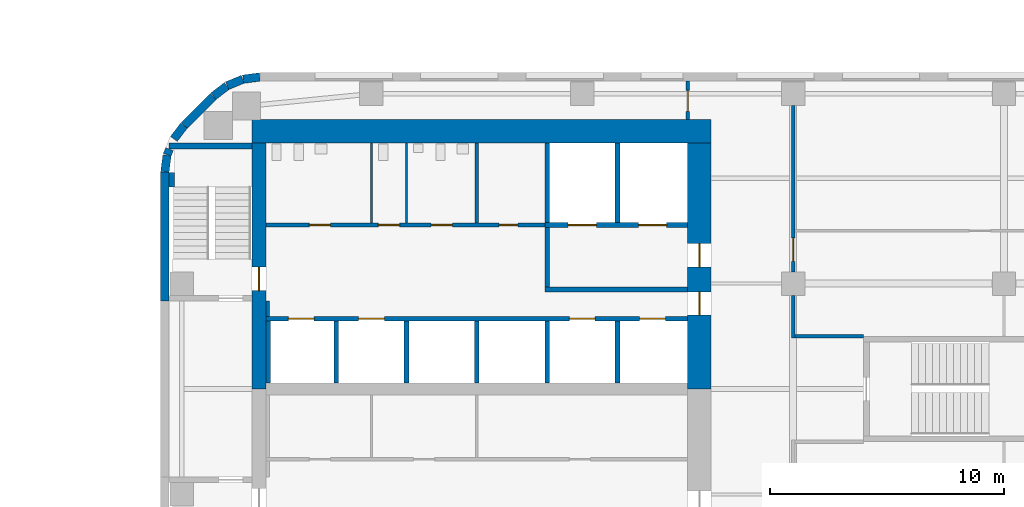
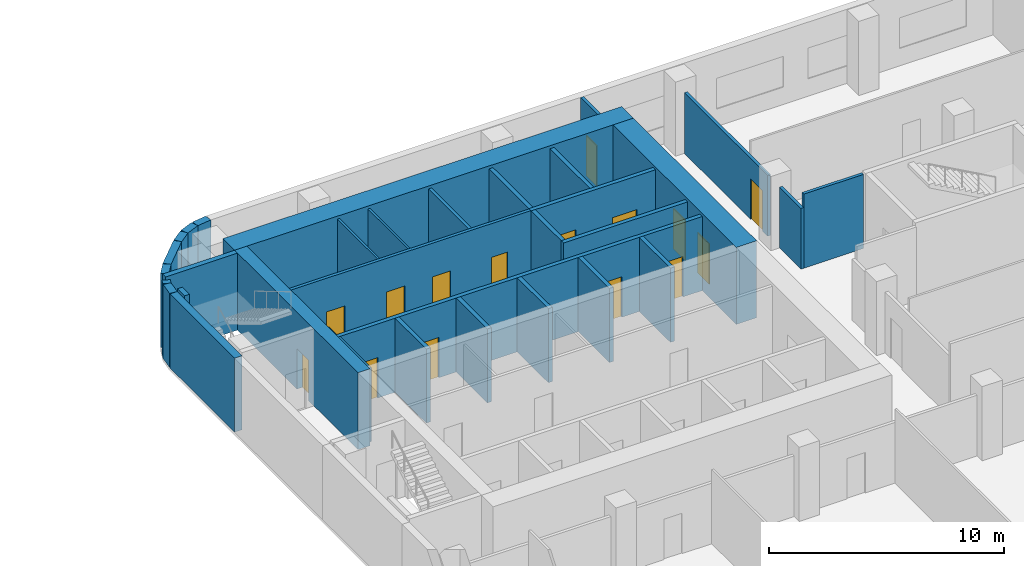
# One storey, part 10 of 15: 34 walls, 15 doors, 15 openings.
"""IFC4 building model written with IfcOpenShell, lengths in metres."""

from ifc_helpers import new_model, si_unit, direction, frame, frame_2d, origin, place, context, subcontext, project, spatial, rectangle, extrude, material, layer, layer_set, type_object, element, fill, save


model = new_model("IFC4")

# Units and contexts
model_context = context("Model", 3, precision=1e-05, world=origin(), true_north=direction((0.0, 1.0)))
body_context = subcontext(model_context, "Body", "Model", "MODEL_VIEW")
ifc_project = project(units=[si_unit("LENGTHUNIT", "METRE"), si_unit("AREAUNIT", "SQUARE_METRE"), si_unit("VOLUMEUNIT", "CUBIC_METRE"), si_unit("PLANEANGLEUNIT", "RADIAN"), si_unit("MASSUNIT", "GRAM", prefix="KILO")], contexts=[model_context])

# Site, building, storey
site_placement = place(None, origin())
site = spatial("IfcSite", under=ifc_project, at=site_placement, CompositionType="ELEMENT")
building_placement = place(site_placement, origin())
building = spatial("IfcBuilding", under=site, at=building_placement, Name="Cinnabar Reach Civic Tower", CompositionType="ELEMENT")
storey_placement = place(building_placement, frame((0.0, 0.0, 87.0)))
storey = spatial("IfcBuildingStorey", under=building, at=storey_placement, Name="L20", CompositionType="ELEMENT", Elevation=87.0)

# Walls
ifc_material_1 = material(Name="Facing brick with insulated backing", Category="masonry")
ifc_layer_1 = layer(ifc_material_1, 0.36)
ifc_layer_set_1 = layer_set([ifc_layer_1], Name="Brick corner wall")
wall_type_1 = type_object("IfcWallType", Name="Brick corner wall", PredefinedType="STANDARD", material=ifc_layer_set_1)
for number, where, z_axis, x_axis, name in (
    (1, (4.2314, 44.817, 0.0), (0.0, 0.0, 1.0), (-0.99144092581, -0.13055608231, 0.0), "Brick corner wall"),
    (2, (3.5027, 44.7181, 0.0), (0.0, 0.0, 1.0), (-0.923871547278, -0.382702709855, 0.0), "Brick corner wall"),
):
    element("IfcWall", number, at=place(storey_placement, frame(where, z_axis=z_axis, x_axis=x_axis)), inside=storey, type_object=wall_type_1, Name=name, PredefinedType="STANDARD", context=body_context, shape_type="SweptSolid", body=[
        extrude(rectangle(XDim=0.7131, YDim=0.36, at=frame_2d((0.3565, 0.0))), origin(), (0.0, 0.0, 1.0), 3.85),
    ])
for number, where, z_axis, x_axis, name in (
    (3, (2.8245, 44.434, 0.0), (0.0, 0.0, 1.0), (-0.793321924995, -0.608802368033, 0.0), "Brick corner wall"),
    (4, (1.0002, 42.7413, 0.0), (0.0, 0.0, 1.0), (-0.608802368033, -0.793321924995, 0.0), "Brick corner wall"),
):
    element("IfcWall", number, at=place(storey_placement, frame(where, z_axis=z_axis, x_axis=x_axis)), inside=storey, type_object=wall_type_1, Name=name, PredefinedType="STANDARD", context=body_context, shape_type="SweptSolid", body=[
        extrude(rectangle(XDim=0.7132, YDim=0.36, at=frame_2d((0.3566, 0.0))), origin(), (0.0, 0.0, 1.0), 3.85),
    ])
wall_1_placement = place(storey_placement, frame((0.3808, 41.736, 0.0), z_axis=(0.0, 0.0, 1.0), x_axis=(-0.382773360986, -0.923842277729, 0.0)))
element("IfcWall", 5, at=wall_1_placement, inside=storey, type_object=wall_type_1, Name="Brick corner wall", PredefinedType="STANDARD", context=body_context, shape_type="SweptSolid", body=[
    extrude(rectangle(XDim=0.2584, YDim=0.36, at=frame_2d((0.1292, 0.0))), origin(), (0.0, 0.0, 1.0), 3.85),
])
wall_2_placement = place(storey_placement, frame((0.2761, 41.4756, 0.0), z_axis=(0.0, 0.0, 1.0), x_axis=(-0.13055608231, -0.99144092581, 0.0)))
element("IfcWall", 6, at=wall_2_placement, inside=storey, type_object=wall_type_1, Name="Brick corner wall", PredefinedType="STANDARD", context=body_context, shape_type="SweptSolid", body=[
    extrude(rectangle(XDim=0.7131, YDim=0.36, at=frame_2d((0.3565, 0.0))), origin(), (0.0, 0.0, 1.0), 3.85),
])
ifc_layer_2 = layer(ifc_material_1, 0.36)
ifc_layer_set_2 = layer_set([ifc_layer_2], Name="Brick pier and spandrel wall")
wall_type_2 = type_object("IfcWallType", Name="Brick pier and spandrel wall", PredefinedType="STANDARD", material=ifc_layer_set_2)
wall_3_placement = place(storey_placement, frame((2.2486, 43.994, 0.0), z_axis=(0.0, 0.0, 1.0), x_axis=(-0.707106781187, -0.707106781187, 0.0)))
element("IfcWall", 7, at=wall_3_placement, inside=storey, type_object=wall_type_2, Name="Brick facade wall", PredefinedType="STANDARD", context=body_context, shape_type="SweptSolid", body=[
    extrude(rectangle(XDim=1.7573, YDim=0.36, at=frame_2d((0.8787, 0.0))), origin(), (0.0, 0.0, 1.0), 3.85),
])
wall_4_placement = place(storey_placement, frame((0.18, 40.7574, 0.0), z_axis=(0.0, 0.0, 1.0), x_axis=(0.0, -1.0, 0.0)))
element("IfcWall", 8, at=wall_4_placement, inside=storey, type_object=wall_type_2, Name="Brick facade wall", PredefinedType="STANDARD", context=body_context, shape_type="SweptSolid", body=[
    extrude(rectangle(XDim=5.5074, YDim=0.36, at=frame_2d((2.7537, 0.0))), origin(), (0.0, 0.0, 1.0), 3.85),
])
ifc_material_2 = material(Name="Concrete C70", Category="concrete")
ifc_layer_3 = layer(ifc_material_2, 1.0)
ifc_layer_set_3 = layer_set([ifc_layer_3], Name="Core wall 1000 EI 180")
wall_type_3 = type_object("IfcWallType", Name="Core wall 1000 EI 180", PredefinedType="SOLIDWALL", material=ifc_layer_set_3)
wall_5_placement = place(storey_placement, frame((23.5, 42.5, 0.0), z_axis=(0.0, 0.0, 1.0), x_axis=(-1.0, 0.0, 0.0)))
element("IfcWall", 9, at=wall_5_placement, inside=storey, type_object=wall_type_3, Name="Core wall T1 L20 N", PredefinedType="SOLIDWALL", context=body_context, shape_type="SweptSolid", body=[
    extrude(rectangle(XDim=19.6, YDim=1.0, at=frame_2d((9.8, 0.0))), origin(), (0.0, 0.0, 1.0), 4.0),
])

# Wall, openings, doors
wall_6_placement = place(storey_placement, frame((23.0, 31.5, 0.0), z_axis=(0.0, 0.0, 1.0), x_axis=(0.0, 1.0, 0.0)))
wall_6 = element("IfcWall", 10, at=wall_6_placement, inside=storey, type_object=wall_type_3, Name="Core wall T1 L20 E2", PredefinedType="SOLIDWALL", context=body_context, shape_type="SweptSolid", body=[
    extrude(rectangle(XDim=10.5, YDim=1.0, at=frame_2d((5.25, 0.0))), origin(), (0.0, 0.0, 1.0), 4.0),
])
opening_1_placement = place(wall_6_placement, frame((3.15, 0.0, 0.0)))
opening_1 = element("IfcOpeningElement", 11, at=opening_1_placement, cuts=wall_6, Name="Opening D3818", PredefinedType="OPENING", context=body_context, shape_type="SweptSolid", body=[
    extrude(rectangle(XDim=1.0, YDim=2.1, at=frame_2d((0.5, 1.05))), frame((0.0, 0.51, 0.0), z_axis=(0.0, -1.0, 0.0), x_axis=(1.0, 0.0, 0.0)), (0.0, 0.0, 1.0), 1.02),
])
opening_2_placement = place(wall_6_placement, frame((5.2, 0.0, 0.0)))
opening_2 = element("IfcOpeningElement", 12, at=opening_2_placement, cuts=wall_6, Name="Opening D3819", PredefinedType="OPENING", context=body_context, shape_type="SweptSolid", body=[
    extrude(rectangle(XDim=1.0, YDim=2.1, at=frame_2d((0.5, 1.05))), frame((0.0, 0.51, 0.0), z_axis=(0.0, -1.0, 0.0), x_axis=(1.0, 0.0, 0.0)), (0.0, 0.0, 1.0), 1.02),
])
ifc_material_3 = material(Name="Timber door leaf in steel frame", Category="steel")
door_type_1 = type_object("IfcDoorType", Name="Firefighting lobby door 1000 x 2100 T1", OperationType="SINGLE_SWING_LEFT", PredefinedType="DOOR", material=ifc_material_3)
door_1_placement = place(opening_2_placement, origin())
door_1 = element("IfcDoor", 13, at=door_1_placement, inside=storey, type_object=door_type_1, Name="Door D3819", OperationType="SINGLE_SWING_LEFT", OverallHeight=2.1, OverallWidth=1.0, PredefinedType="DOOR", context=body_context, shape_type="SweptSolid", body=[
    extrude(rectangle(XDim=1.0, YDim=2.1, at=frame_2d((0.5, 1.05))), frame((0.0, 0.025, 0.0), z_axis=(0.0, -1.0, 0.0), x_axis=(1.0, 0.0, 0.0)), (0.0, 0.0, 1.0), 0.05),
])
fill(opening_2, door_1)
door_type_2 = type_object("IfcDoorType", Name="Single swing door 1000 x 2100 T1", OperationType="SINGLE_SWING_LEFT", PredefinedType="DOOR", material=ifc_material_3)
door_2_placement = place(opening_1_placement, origin())
door_2 = element("IfcDoor", 14, at=door_2_placement, inside=storey, type_object=door_type_2, Name="Door D3818", OperationType="SINGLE_SWING_RIGHT", OverallHeight=2.1, OverallWidth=1.0, PredefinedType="DOOR", context=body_context, shape_type="SweptSolid", body=[
    extrude(rectangle(XDim=1.0, YDim=2.1, at=frame_2d((0.5, 1.05))), frame((0.0, 0.025, 0.0), z_axis=(0.0, -1.0, 0.0), x_axis=(1.0, 0.0, 0.0)), (0.0, 0.0, 1.0), 0.05),
])
fill(opening_1, door_2)

# Wall, opening, door
ifc_layer_4 = layer(ifc_material_2, 0.6)
ifc_layer_set_4 = layer_set([ifc_layer_4], Name="Core wall 600 EI 180")
wall_type_4 = type_object("IfcWallType", Name="Core wall 600 EI 180", PredefinedType="SOLIDWALL", material=ifc_layer_set_4)
wall_7_placement = place(storey_placement, frame((4.2, 42.0, 0.0), z_axis=(0.0, 0.0, 1.0), x_axis=(0.0, -1.0, 0.0)))
wall_7 = element("IfcWall", 15, at=wall_7_placement, inside=storey, type_object=wall_type_4, Name="Core wall T1 L20 W", PredefinedType="SOLIDWALL", context=body_context, shape_type="SweptSolid", body=[
    extrude(rectangle(XDim=10.5, YDim=0.6, at=frame_2d((5.25, 0.0))), origin(), (0.0, 0.0, 1.0), 4.0),
])
opening_3_placement = place(wall_7_placement, frame((5.3, 0.0, 0.0)))
opening_3 = element("IfcOpeningElement", 16, at=opening_3_placement, cuts=wall_7, Name="Opening D3803", PredefinedType="OPENING", context=body_context, shape_type="SweptSolid", body=[
    extrude(rectangle(XDim=1.0, YDim=2.1, at=frame_2d((0.5, 1.05))), frame((0.0, 0.31, 0.0), z_axis=(0.0, -1.0, 0.0), x_axis=(1.0, 0.0, 0.0)), (0.0, 0.0, 1.0), 0.62),
])
door_type_3 = type_object("IfcDoorType", Name="Stair door 1000 x 2100 T1", OperationType="SINGLE_SWING_LEFT", PredefinedType="DOOR", material=ifc_material_3)
door_3_placement = place(opening_3_placement, frame((1.0, 0.0, 0.0), z_axis=(0.0, 0.0, 1.0), x_axis=(-1.0, 0.0, 0.0)))
door_3 = element("IfcDoor", 17, at=door_3_placement, inside=storey, type_object=door_type_3, Name="Door D3803", OperationType="SINGLE_SWING_LEFT", OverallHeight=2.1, OverallWidth=1.0, PredefinedType="DOOR", context=body_context, shape_type="SweptSolid", body=[
    extrude(rectangle(XDim=1.0, YDim=2.1, at=frame_2d((0.5, 1.05))), frame((0.0, 0.025, 0.0), z_axis=(0.0, -1.0, 0.0), x_axis=(1.0, 0.0, 0.0)), (0.0, 0.0, 1.0), 0.05),
])
fill(opening_3, door_3)

# Wall, openings, doors
ifc_material_4 = material(Name="Gypsum board on steel studs, double layer", Category="steel")
ifc_layer_5 = layer(ifc_material_4, 0.15)
ifc_layer_set_5 = layer_set([ifc_layer_5], Name="Corridor wall 150 T1")
wall_type_5 = type_object("IfcWallType", Name="Corridor wall 150 T1", PredefinedType="PARTITIONING", material=ifc_layer_set_5)
wall_8_placement = place(storey_placement, frame((4.5, 38.5, 0.0), z_axis=(0.0, 0.0, 1.0), x_axis=(1.0, 0.0, 0.0)))
wall_8 = element("IfcWall", 18, at=wall_8_placement, inside=storey, type_object=wall_type_5, Name="Corridor wall 28", PredefinedType="PARTITIONING", context=body_context, shape_type="SweptSolid", body=[
    extrude(rectangle(XDim=11.9, YDim=0.15, at=frame_2d((5.95, 0.0))), origin(), (0.0, 0.0, 1.0), 3.85),
])
opening_4_placement = place(wall_8_placement, frame((1.85, 0.0, 0.0)))
opening_4 = element("IfcOpeningElement", 19, at=opening_4_placement, cuts=wall_8, Name="Opening D3824", PredefinedType="OPENING", context=body_context, shape_type="SweptSolid", body=[
    extrude(rectangle(XDim=0.9, YDim=2.1, at=frame_2d((0.45, 1.05))), frame((0.0, 0.085, 0.0), z_axis=(0.0, -1.0, 0.0), x_axis=(1.0, 0.0, 0.0)), (0.0, 0.0, 1.0), 0.17),
])
opening_5_placement = place(wall_8_placement, frame((4.8, 0.0, 0.0)))
opening_5 = element("IfcOpeningElement", 20, at=opening_5_placement, cuts=wall_8, Name="Opening D3825", PredefinedType="OPENING", context=body_context, shape_type="SweptSolid", body=[
    extrude(rectangle(XDim=0.9, YDim=2.1, at=frame_2d((0.45, 1.05))), frame((0.0, 0.085, 0.0), z_axis=(0.0, -1.0, 0.0), x_axis=(1.0, 0.0, 0.0)), (0.0, 0.0, 1.0), 0.17),
])
opening_6_placement = place(wall_8_placement, frame((7.05, 0.0, 0.0)))
opening_6 = element("IfcOpeningElement", 21, at=opening_6_placement, cuts=wall_8, Name="Opening D3826", PredefinedType="OPENING", context=body_context, shape_type="SweptSolid", body=[
    extrude(rectangle(XDim=0.9, YDim=2.1, at=frame_2d((0.45, 1.05))), frame((0.0, 0.085, 0.0), z_axis=(0.0, -1.0, 0.0), x_axis=(1.0, 0.0, 0.0)), (0.0, 0.0, 1.0), 0.17),
])
opening_7_placement = place(wall_8_placement, frame((9.95, 0.0, 0.0)))
opening_7 = element("IfcOpeningElement", 22, at=opening_7_placement, cuts=wall_8, Name="Opening D3827", PredefinedType="OPENING", context=body_context, shape_type="SweptSolid", body=[
    extrude(rectangle(XDim=0.8, YDim=2.1, at=frame_2d((0.4, 1.05))), frame((0.0, 0.085, 0.0), z_axis=(0.0, -1.0, 0.0), x_axis=(1.0, 0.0, 0.0)), (0.0, 0.0, 1.0), 0.17),
])
door_type_4 = type_object("IfcDoorType", Name="Riser access door 800 x 2100 T1", OperationType="SINGLE_SWING_LEFT", PredefinedType="DOOR", material=ifc_material_3)
door_4_placement = place(opening_7_placement, origin())
door_4 = element("IfcDoor", 23, at=door_4_placement, inside=storey, type_object=door_type_4, Name="Door D3827", OperationType="SINGLE_SWING_RIGHT", OverallHeight=2.1, OverallWidth=0.8, PredefinedType="DOOR", context=body_context, shape_type="SweptSolid", body=[
    extrude(rectangle(XDim=0.8, YDim=2.1, at=frame_2d((0.4, 1.05))), frame((0.0, 0.025, 0.0), z_axis=(0.0, -1.0, 0.0), x_axis=(1.0, 0.0, 0.0)), (0.0, 0.0, 1.0), 0.05),
])
fill(opening_7, door_4)
door_type_5 = type_object("IfcDoorType", Name="Single swing door 900 x 2100 corridor T1", OperationType="SINGLE_SWING_LEFT", PredefinedType="DOOR", material=ifc_material_3)
door_5_placement = place(opening_4_placement, origin())
door_5 = element("IfcDoor", 24, at=door_5_placement, inside=storey, type_object=door_type_5, Name="Door D3824", OperationType="SINGLE_SWING_RIGHT", OverallHeight=2.1, OverallWidth=0.9, PredefinedType="DOOR", context=body_context, shape_type="SweptSolid", body=[
    extrude(rectangle(XDim=0.9, YDim=2.1, at=frame_2d((0.45, 1.05))), frame((0.0, 0.025, 0.0), z_axis=(0.0, -1.0, 0.0), x_axis=(1.0, 0.0, 0.0)), (0.0, 0.0, 1.0), 0.05),
])
fill(opening_4, door_5)
door_6_placement = place(opening_5_placement, origin())
door_6 = element("IfcDoor", 25, at=door_6_placement, inside=storey, type_object=door_type_5, Name="Door D3825", OperationType="SINGLE_SWING_LEFT", OverallHeight=2.1, OverallWidth=0.9, PredefinedType="DOOR", context=body_context, shape_type="SweptSolid", body=[
    extrude(rectangle(XDim=0.9, YDim=2.1, at=frame_2d((0.45, 1.05))), frame((0.0, 0.025, 0.0), z_axis=(0.0, -1.0, 0.0), x_axis=(1.0, 0.0, 0.0)), (0.0, 0.0, 1.0), 0.05),
])
fill(opening_5, door_6)
door_7_placement = place(opening_6_placement, origin())
door_7 = element("IfcDoor", 26, at=door_7_placement, inside=storey, type_object=door_type_5, Name="Door D3826", OperationType="SINGLE_SWING_RIGHT", OverallHeight=2.1, OverallWidth=0.9, PredefinedType="DOOR", context=body_context, shape_type="SweptSolid", body=[
    extrude(rectangle(XDim=0.9, YDim=2.1, at=frame_2d((0.45, 1.05))), frame((0.0, 0.025, 0.0), z_axis=(0.0, -1.0, 0.0), x_axis=(1.0, 0.0, 0.0)), (0.0, 0.0, 1.0), 0.05),
])
fill(opening_6, door_7)

# Wall
wall_9_placement = place(storey_placement, frame((27.0, 33.675, 0.0), z_axis=(0.0, 0.0, 1.0), x_axis=(0.0, 1.0, 0.0)))
element("IfcWall", 27, at=wall_9_placement, inside=storey, type_object=wall_type_5, Name="Corridor wall 29", PredefinedType="PARTITIONING", context=body_context, shape_type="SweptSolid", body=[
    extrude(rectangle(XDim=1.825, YDim=0.15, at=frame_2d((0.9125, 0.0))), origin(), (0.0, 0.0, 1.0), 3.158),
])

# Wall, opening, door
wall_10_placement = place(storey_placement, frame((27.0, 36.5, 0.0), z_axis=(0.0, 0.0, 1.0), x_axis=(0.0, 1.0, 0.0)))
wall_10 = element("IfcWall", 28, at=wall_10_placement, inside=storey, type_object=wall_type_5, Name="Corridor wall 30", PredefinedType="PARTITIONING", context=body_context, shape_type="SweptSolid", body=[
    extrude(rectangle(XDim=7.1, YDim=0.15, at=frame_2d((3.55, 0.0))), origin(), (0.0, 0.0, 1.0), 3.158),
])
opening_8_placement = place(wall_10_placement, frame((0.45, 0.0, 0.0)))
opening_8 = element("IfcOpeningElement", 29, at=opening_8_placement, cuts=wall_10, Name="Opening D3828", PredefinedType="OPENING", context=body_context, shape_type="SweptSolid", body=[
    extrude(rectangle(XDim=1.0, YDim=2.1, at=frame_2d((0.5, 1.05))), frame((0.0, 0.085, 0.0), z_axis=(0.0, -1.0, 0.0), x_axis=(1.0, 0.0, 0.0)), (0.0, 0.0, 1.0), 0.17),
])
door_type_6 = type_object("IfcDoorType", Name="Tenancy entrance door 1000 x 2100 T1", OperationType="SINGLE_SWING_LEFT", PredefinedType="DOOR", material=ifc_material_3)
door_8_placement = place(opening_8_placement, frame((1.0, 0.0, 0.0), z_axis=(0.0, 0.0, 1.0), x_axis=(-1.0, 0.0, 0.0)))
door_8 = element("IfcDoor", 30, at=door_8_placement, inside=storey, type_object=door_type_6, Name="Door D3828", OperationType="SINGLE_SWING_LEFT", OverallHeight=2.1, OverallWidth=1.0, PredefinedType="DOOR", context=body_context, shape_type="SweptSolid", body=[
    extrude(rectangle(XDim=1.0, YDim=2.1, at=frame_2d((0.5, 1.05))), frame((0.0, 0.025, 0.0), z_axis=(0.0, -1.0, 0.0), x_axis=(1.0, 0.0, 0.0)), (0.0, 0.0, 1.0), 0.05),
])
fill(opening_8, door_8)

# Wall
wall_11_placement = place(storey_placement, frame((27.075, 33.75, 0.0), z_axis=(0.0, 0.0, 1.0), x_axis=(1.0, 0.0, 0.0)))
element("IfcWall", 31, at=wall_11_placement, inside=storey, type_object=wall_type_5, Name="Corridor wall 36", PredefinedType="PARTITIONING", context=body_context, shape_type="SweptSolid", body=[
    extrude(rectangle(XDim=2.925, YDim=0.15, at=frame_2d((1.4625, 0.0))), origin(), (0.0, 0.0, 1.0), 3.85),
])

# Wall, opening, door
wall_12_placement = place(storey_placement, frame((22.5, 43.0, 0.0), z_axis=(0.0, 0.0, 1.0), x_axis=(0.0, 1.0, 0.0)))
wall_12 = element("IfcWall", 32, at=wall_12_placement, inside=storey, type_object=wall_type_5, Name="Corridor wall 37", PredefinedType="PARTITIONING", context=body_context, shape_type="SweptSolid", body=[
    extrude(rectangle(XDim=1.64, YDim=0.15, at=frame_2d((0.82, 0.0))), origin(), (0.0, 0.0, 1.0), 3.85),
])
opening_9_placement = place(wall_12_placement, frame((0.35, 0.0, 0.0)))
opening_9 = element("IfcOpeningElement", 33, at=opening_9_placement, cuts=wall_12, Name="Opening D5784", PredefinedType="OPENING", context=body_context, shape_type="SweptSolid", body=[
    extrude(rectangle(XDim=0.9, YDim=2.1, at=frame_2d((0.45, 1.05))), frame((0.0, 0.085, 0.0), z_axis=(0.0, -1.0, 0.0), x_axis=(1.0, 0.0, 0.0)), (0.0, 0.0, 1.0), 0.17),
])
door_9_placement = place(opening_9_placement, origin())
door_9 = element("IfcDoor", 34, at=door_9_placement, inside=storey, type_object=door_type_5, Name="Door D5784", OperationType="SINGLE_SWING_LEFT", OverallHeight=2.1, OverallWidth=0.9, PredefinedType="DOOR", context=body_context, shape_type="SweptSolid", body=[
    extrude(rectangle(XDim=0.9, YDim=2.1, at=frame_2d((0.45, 1.05))), frame((0.0, 0.025, 0.0), z_axis=(0.0, -1.0, 0.0), x_axis=(1.0, 0.0, 0.0)), (0.0, 0.0, 1.0), 0.05),
])
fill(opening_9, door_9)

# Wall
wall_13_placement = place(storey_placement, frame((4.575, 34.6, 0.0), z_axis=(0.0, 0.0, 1.0), x_axis=(0.0, 1.0, 0.0)))
element("IfcWall", 35, at=wall_13_placement, inside=storey, type_object=wall_type_5, Name="Corridor wall 38", PredefinedType="PARTITIONING", context=body_context, shape_type="SweptSolid", body=[
    extrude(rectangle(XDim=0.65, YDim=0.15, at=frame_2d((0.325, 0.0))), origin(), (0.0, 0.0, 1.0), 3.85),
])

# Wall, openings, doors
ifc_material_5 = material(Name="Blockwork", Category="masonry")
ifc_layer_6 = layer(ifc_material_5, 0.2)
ifc_layer_set_6 = layer_set([ifc_layer_6], Name="Lift shaft wall 200 T1")
wall_type_6 = type_object("IfcWallType", Name="Lift shaft wall 200 T1", PredefinedType="PARTITIONING", material=ifc_layer_set_6)
wall_14_placement = place(storey_placement, frame((4.5, 34.5, 0.0), z_axis=(0.0, 0.0, 1.0), x_axis=(1.0, 0.0, 0.0)))
wall_14 = element("IfcWall", 36, at=wall_14_placement, inside=storey, type_object=wall_type_6, Name="Lift shaft wall 5", PredefinedType="PARTITIONING", context=body_context, shape_type="SweptSolid", body=[
    extrude(rectangle(XDim=18.0, YDim=0.2, at=frame_2d((9.0, 0.0))), origin(), (0.0, 0.0, 1.0), 3.85),
])
opening_10_placement = place(wall_14_placement, frame((0.95, 0.0, 0.0)))
opening_10 = element("IfcOpeningElement", 37, at=opening_10_placement, cuts=wall_14, Name="Opening D3811", PredefinedType="OPENING", context=body_context, shape_type="SweptSolid", body=[
    extrude(rectangle(XDim=1.1, YDim=2.1, at=frame_2d((0.55, 1.05))), frame((0.0, 0.11, 0.0), z_axis=(0.0, -1.0, 0.0), x_axis=(1.0, 0.0, 0.0)), (0.0, 0.0, 1.0), 0.22),
])
opening_11_placement = place(wall_14_placement, frame((3.95, 0.0, 0.0)))
opening_11 = element("IfcOpeningElement", 38, at=opening_11_placement, cuts=wall_14, Name="Opening D3812", PredefinedType="OPENING", context=body_context, shape_type="SweptSolid", body=[
    extrude(rectangle(XDim=1.1, YDim=2.1, at=frame_2d((0.55, 1.05))), frame((0.0, 0.11, 0.0), z_axis=(0.0, -1.0, 0.0), x_axis=(1.0, 0.0, 0.0)), (0.0, 0.0, 1.0), 0.22),
])
opening_12_placement = place(wall_14_placement, frame((12.95, 0.0, 0.0)))
opening_12 = element("IfcOpeningElement", 39, at=opening_12_placement, cuts=wall_14, Name="Opening D3813", PredefinedType="OPENING", context=body_context, shape_type="SweptSolid", body=[
    extrude(rectangle(XDim=1.1, YDim=2.1, at=frame_2d((0.55, 1.05))), frame((0.0, 0.11, 0.0), z_axis=(0.0, -1.0, 0.0), x_axis=(1.0, 0.0, 0.0)), (0.0, 0.0, 1.0), 0.22),
])
opening_13_placement = place(wall_14_placement, frame((15.95, 0.0, 0.0)))
opening_13 = element("IfcOpeningElement", 40, at=opening_13_placement, cuts=wall_14, Name="Opening D3814", PredefinedType="OPENING", context=body_context, shape_type="SweptSolid", body=[
    extrude(rectangle(XDim=1.1, YDim=2.1, at=frame_2d((0.55, 1.05))), frame((0.0, 0.11, 0.0), z_axis=(0.0, -1.0, 0.0), x_axis=(1.0, 0.0, 0.0)), (0.0, 0.0, 1.0), 0.22),
])
ifc_material_6 = material(Name="Stainless steel sliding door", Category="steel")
door_type_7 = type_object("IfcDoorType", Name="Lift landing door 1100 x 2100 T1", OperationType="SLIDING_TO_LEFT", PredefinedType="DOOR", material=ifc_material_6)
door_10_placement = place(opening_10_placement, origin())
door_10 = element("IfcDoor", 41, at=door_10_placement, inside=storey, type_object=door_type_7, Name="Lift landing door SH1 L20", OperationType="SLIDING_TO_LEFT", OverallHeight=2.1, OverallWidth=1.1, PredefinedType="DOOR", context=body_context, shape_type="SweptSolid", body=[
    extrude(rectangle(XDim=1.1, YDim=2.1, at=frame_2d((0.55, 1.05))), frame((0.0, 0.025, 0.0), z_axis=(0.0, -1.0, 0.0), x_axis=(1.0, 0.0, 0.0)), (0.0, 0.0, 1.0), 0.05),
])
fill(opening_10, door_10)
door_11_placement = place(opening_11_placement, origin())
door_11 = element("IfcDoor", 42, at=door_11_placement, inside=storey, type_object=door_type_7, Name="Lift landing door SH2 L20", OperationType="SLIDING_TO_LEFT", OverallHeight=2.1, OverallWidth=1.1, PredefinedType="DOOR", context=body_context, shape_type="SweptSolid", body=[
    extrude(rectangle(XDim=1.1, YDim=2.1, at=frame_2d((0.55, 1.05))), frame((0.0, 0.025, 0.0), z_axis=(0.0, -1.0, 0.0), x_axis=(1.0, 0.0, 0.0)), (0.0, 0.0, 1.0), 0.05),
])
fill(opening_11, door_11)
door_12_placement = place(opening_12_placement, origin())
door_12 = element("IfcDoor", 43, at=door_12_placement, inside=storey, type_object=door_type_7, Name="Lift landing door SV1 L20", OperationType="SLIDING_TO_LEFT", OverallHeight=2.1, OverallWidth=1.1, PredefinedType="DOOR", context=body_context, shape_type="SweptSolid", body=[
    extrude(rectangle(XDim=1.1, YDim=2.1, at=frame_2d((0.55, 1.05))), frame((0.0, 0.025, 0.0), z_axis=(0.0, -1.0, 0.0), x_axis=(1.0, 0.0, 0.0)), (0.0, 0.0, 1.0), 0.05),
])
fill(opening_12, door_12)
door_13_placement = place(opening_13_placement, origin())
door_13 = element("IfcDoor", 44, at=door_13_placement, inside=storey, type_object=door_type_7, Name="Lift landing door SV2 L20", OperationType="SLIDING_TO_LEFT", OverallHeight=2.1, OverallWidth=1.1, PredefinedType="DOOR", context=body_context, shape_type="SweptSolid", body=[
    extrude(rectangle(XDim=1.1, YDim=2.1, at=frame_2d((0.55, 1.05))), frame((0.0, 0.025, 0.0), z_axis=(0.0, -1.0, 0.0), x_axis=(1.0, 0.0, 0.0)), (0.0, 0.0, 1.0), 0.05),
])
fill(opening_13, door_13)

# Walls
for number, where, z_axis, x_axis, name in (
    (45, (16.5, 38.6, 0.0), (0.0, 0.0, 1.0), (0.0, 1.0, 0.0), "Lift shaft wall 6"),
    (46, (19.5, 38.6, 0.0), (0.0, 0.0, 1.0), (0.0, 1.0, 0.0), "Lift shaft wall 7"),
):
    element("IfcWall", number, at=place(storey_placement, frame(where, z_axis=z_axis, x_axis=x_axis)), inside=storey, type_object=wall_type_6, Name=name, PredefinedType="PARTITIONING", context=body_context, shape_type="SweptSolid", body=[
        extrude(rectangle(XDim=3.4, YDim=0.2, at=frame_2d((1.7, 0.0))), origin(), (0.0, 0.0, 1.0), 3.85),
    ])
for number, where, z_axis, x_axis, name in (
    (47, (4.6, 31.75, 0.0), (0.0, 0.0, 1.0), (0.0, 1.0, 0.0), "Lift shaft wall 8"),
    (48, (7.5, 31.75, 0.0), (0.0, 0.0, 1.0), (0.0, 1.0, 0.0), "Lift shaft wall 10"),
    (49, (10.5, 31.75, 0.0), (0.0, 0.0, 1.0), (0.0, 1.0, 0.0), "Lift shaft wall 12"),
    (50, (13.5, 31.75, 0.0), (0.0, 0.0, 1.0), (0.0, 1.0, 0.0), "Lift shaft wall 14"),
    (51, (16.5, 31.75, 0.0), (0.0, 0.0, 1.0), (0.0, 1.0, 0.0), "Lift shaft wall 16"),
    (52, (19.5, 31.75, 0.0), (0.0, 0.0, 1.0), (0.0, 1.0, 0.0), "Lift shaft wall 18"),
):
    element("IfcWall", number, at=place(storey_placement, frame(where, z_axis=z_axis, x_axis=x_axis)), inside=storey, type_object=wall_type_6, Name=name, PredefinedType="PARTITIONING", context=body_context, shape_type="SweptSolid", body=[
        extrude(rectangle(XDim=2.65, YDim=0.2, at=frame_2d((1.325, 0.0))), origin(), (0.0, 0.0, 1.0), 3.85),
    ])
ifc_material_7 = material(Name="Gypsum board on steel studs", Category="steel")
ifc_layer_7 = layer(ifc_material_7, 0.1)
ifc_layer_set_7 = layer_set([ifc_layer_7], Name="Partition wall 100 T1")
wall_type_7 = type_object("IfcWallType", Name="Partition wall 100 T1", PredefinedType="PARTITIONING", material=ifc_layer_set_7)
for number, where, z_axis, x_axis, name in (
    (53, (9.0, 38.575, 0.0), (0.0, 0.0, 1.0), (0.0, 1.0, 0.0), "Partition wall 51"),
    (54, (10.5, 38.575, 0.0), (0.0, 0.0, 1.0), (0.0, 1.0, 0.0), "Partition wall 52"),
):
    element("IfcWall", number, at=place(storey_placement, frame(where, z_axis=z_axis, x_axis=x_axis)), inside=storey, type_object=wall_type_7, Name=name, PredefinedType="PARTITIONING", context=body_context, shape_type="SweptSolid", body=[
        extrude(rectangle(XDim=3.425, YDim=0.1, at=frame_2d((1.7125, 0.0))), origin(), (0.0, 0.0, 1.0), 3.85),
    ])
ifc_material_8 = material(Name="Concrete C40", Category="concrete")
ifc_layer_8 = layer(ifc_material_8, 0.2)
ifc_layer_set_8 = layer_set([ifc_layer_8], Name="Refuge compartment wall 200 T1")
wall_type_8 = type_object("IfcWallType", Name="Refuge compartment wall 200 T1", PredefinedType="PARTITIONING", material=ifc_layer_set_8)
wall_15_placement = place(storey_placement, frame((16.4, 35.75, 0.0), z_axis=(0.0, 0.0, 1.0), x_axis=(1.0, 0.0, 0.0)))
element("IfcWall", 55, at=wall_15_placement, inside=storey, type_object=wall_type_8, Name="Refuge compartment wall 1", PredefinedType="PARTITIONING", context=body_context, shape_type="SweptSolid", body=[
    extrude(rectangle(XDim=6.1, YDim=0.2, at=frame_2d((3.05, 0.0))), origin(), (0.0, 0.0, 1.0), 3.85),
])

# Wall, openings, doors
wall_16_placement = place(storey_placement, frame((16.4, 38.5, 0.0), z_axis=(0.0, 0.0, 1.0), x_axis=(1.0, 0.0, 0.0)))
wall_16 = element("IfcWall", 56, at=wall_16_placement, inside=storey, type_object=wall_type_8, Name="Refuge compartment wall 2", PredefinedType="PARTITIONING", context=body_context, shape_type="SweptSolid", body=[
    extrude(rectangle(XDim=6.1, YDim=0.2, at=frame_2d((3.05, 0.0))), origin(), (0.0, 0.0, 1.0), 3.85),
])
opening_14_placement = place(wall_16_placement, frame((1.0, 0.0, 0.0)))
opening_14 = element("IfcOpeningElement", 57, at=opening_14_placement, cuts=wall_16, Name="Opening D3815", PredefinedType="OPENING", context=body_context, shape_type="SweptSolid", body=[
    extrude(rectangle(XDim=1.2, YDim=2.1, at=frame_2d((0.6, 1.05))), frame((0.0, 0.11, 0.0), z_axis=(0.0, -1.0, 0.0), x_axis=(1.0, 0.0, 0.0)), (0.0, 0.0, 1.0), 0.22),
])
opening_15_placement = place(wall_16_placement, frame((4.0, 0.0, 0.0)))
opening_15 = element("IfcOpeningElement", 58, at=opening_15_placement, cuts=wall_16, Name="Opening D3816", PredefinedType="OPENING", context=body_context, shape_type="SweptSolid", body=[
    extrude(rectangle(XDim=1.2, YDim=2.1, at=frame_2d((0.6, 1.05))), frame((0.0, 0.11, 0.0), z_axis=(0.0, -1.0, 0.0), x_axis=(1.0, 0.0, 0.0)), (0.0, 0.0, 1.0), 0.22),
])
door_type_8 = type_object("IfcDoorType", Name="Firefighting lift landing door 1200 x 2100 T1", OperationType="SLIDING_TO_LEFT", PredefinedType="DOOR", material=ifc_material_6)
door_14_placement = place(opening_14_placement, origin())
door_14 = element("IfcDoor", 59, at=door_14_placement, inside=storey, type_object=door_type_8, Name="Lift landing door FF1 L20", OperationType="SLIDING_TO_LEFT", OverallHeight=2.1, OverallWidth=1.2, PredefinedType="DOOR", context=body_context, shape_type="SweptSolid", body=[
    extrude(rectangle(XDim=1.2, YDim=2.1, at=frame_2d((0.6, 1.05))), frame((0.0, 0.025, 0.0), z_axis=(0.0, -1.0, 0.0), x_axis=(1.0, 0.0, 0.0)), (0.0, 0.0, 1.0), 0.05),
])
fill(opening_14, door_14)
door_15_placement = place(opening_15_placement, origin())
door_15 = element("IfcDoor", 60, at=door_15_placement, inside=storey, type_object=door_type_8, Name="Lift landing door FF2 L20", OperationType="SLIDING_TO_LEFT", OverallHeight=2.1, OverallWidth=1.2, PredefinedType="DOOR", context=body_context, shape_type="SweptSolid", body=[
    extrude(rectangle(XDim=1.2, YDim=2.1, at=frame_2d((0.6, 1.05))), frame((0.0, 0.025, 0.0), z_axis=(0.0, -1.0, 0.0), x_axis=(1.0, 0.0, 0.0)), (0.0, 0.0, 1.0), 0.05),
])
fill(opening_15, door_15)

# Walls
wall_17_placement = place(storey_placement, frame((16.5, 35.85, 0.0), z_axis=(0.0, 0.0, 1.0), x_axis=(0.0, 1.0, 0.0)))
element("IfcWall", 61, at=wall_17_placement, inside=storey, type_object=wall_type_8, Name="Refuge compartment wall 3", PredefinedType="PARTITIONING", context=body_context, shape_type="SweptSolid", body=[
    extrude(rectangle(XDim=2.55, YDim=0.2, at=frame_2d((1.275, 0.0))), origin(), (0.0, 0.0, 1.0), 3.85),
])
ifc_layer_9 = layer(ifc_material_5, 0.15)
ifc_layer_set_9 = layer_set([ifc_layer_9], Name="Riser wall 150 T1")
wall_type_9 = type_object("IfcWallType", Name="Riser wall 150 T1", PredefinedType="PARTITIONING", material=ifc_layer_set_9)
wall_18_placement = place(storey_placement, frame((13.5, 38.575, 0.0), z_axis=(0.0, 0.0, 1.0), x_axis=(0.0, 1.0, 0.0)))
element("IfcWall", 62, at=wall_18_placement, inside=storey, type_object=wall_type_9, Name="Riser wall 39", PredefinedType="PARTITIONING", context=body_context, shape_type="SweptSolid", body=[
    extrude(rectangle(XDim=3.425, YDim=0.15, at=frame_2d((1.7125, 0.0))), origin(), (0.0, 0.0, 1.0), 3.85),
])
ifc_material_9 = material(Name="Concrete C60", Category="concrete")
ifc_layer_10 = layer(ifc_material_9, 0.25)
ifc_layer_set_10 = layer_set([ifc_layer_10], Name="Stair shaft wall 250 EI 120")
wall_type_10 = type_object("IfcWallType", Name="Stair shaft wall 250 EI 120", PredefinedType="SOLIDWALL", material=ifc_layer_set_10)
wall_19_placement = place(storey_placement, frame((3.9, 41.875, 0.0), z_axis=(0.0, 0.0, 1.0), x_axis=(-1.0, 0.0, 0.0)))
element("IfcWall", 63, at=wall_19_placement, inside=storey, type_object=wall_type_10, Name="Stair shaft wall T1-S2 L20", PredefinedType="SOLIDWALL", context=body_context, shape_type="SweptSolid", body=[
    extrude(rectangle(XDim=3.54, YDim=0.25, at=frame_2d((1.77, 0.0))), origin(), (0.0, 0.0, 1.0), 4.0),
])
ifc_material_10 = material(Name="Concrete C40/50", Category="concrete")
ifc_layer_11 = layer(ifc_material_10, 0.24)
ifc_layer_set_11 = layer_set([ifc_layer_11], Name="T1 landing bearer wall 240")
wall_type_11 = type_object("IfcWallType", Name="T1 landing bearer wall 240", PredefinedType="STANDARD", material=ifc_layer_set_11)
wall_20_placement = place(storey_placement, frame((0.48, 40.13, 0.0), z_axis=(0.0, 0.0, 1.0), x_axis=(0.0, 1.0, 0.0)))
element("IfcWall", 64, at=wall_20_placement, inside=storey, type_object=wall_type_11, Name="T1-S2 landing bearer wall", PredefinedType="STANDARD", context=body_context, shape_type="SweptSolid", body=[
    extrude(rectangle(XDim=0.6151, YDim=0.24, at=frame_2d((0.3075, 0.0))), origin(), (0.0, 0.0, 1.0), 4.0),
])

save(model, "model.ifc")
